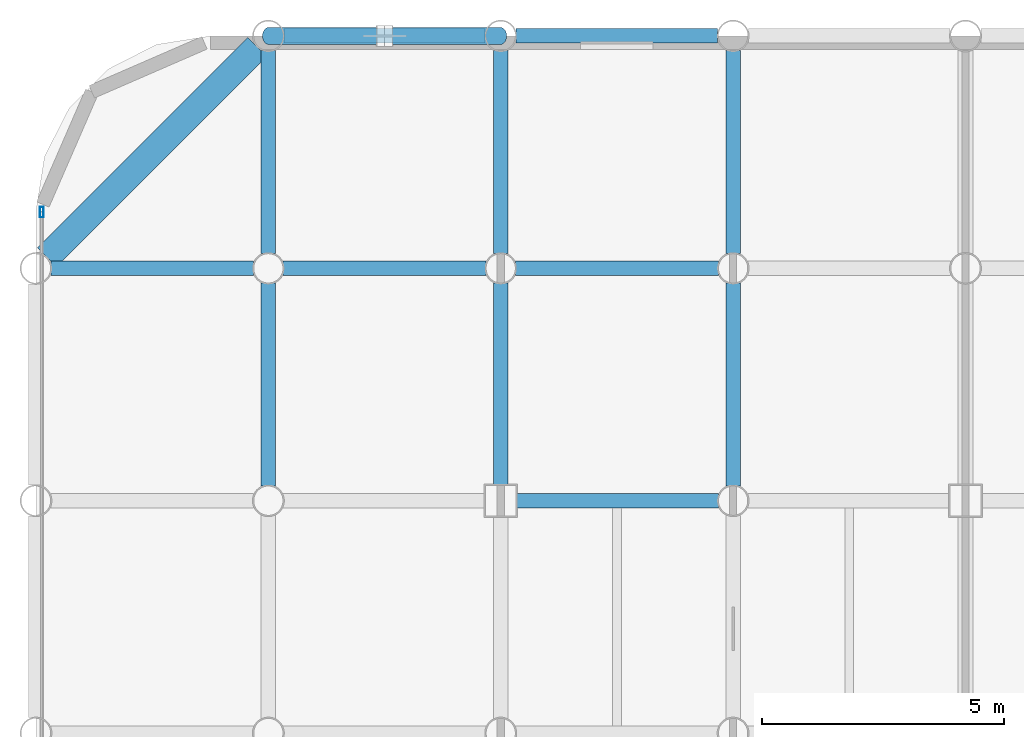
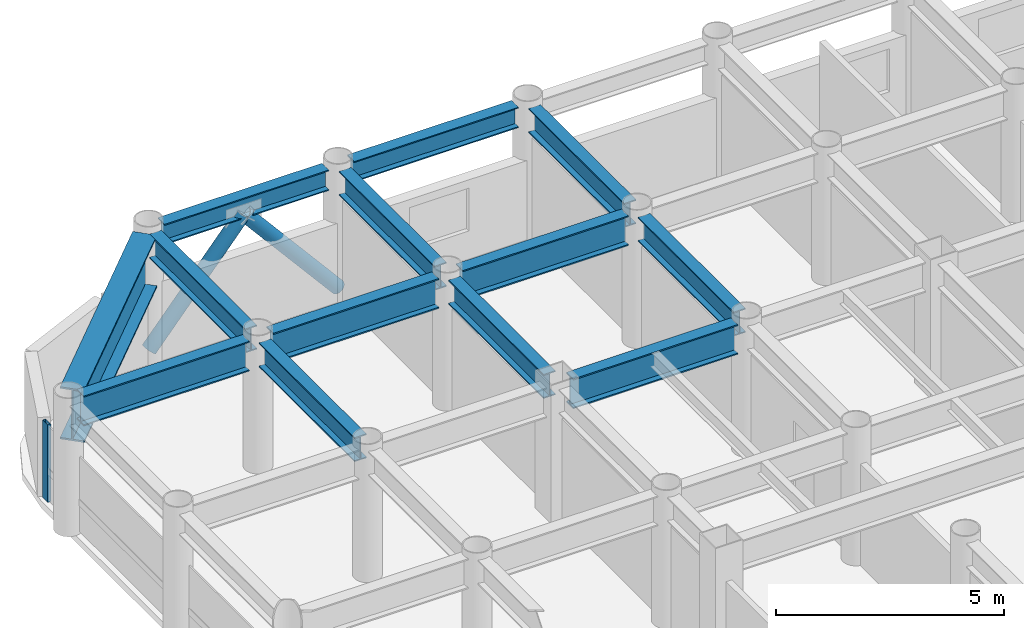
# One storey, part 10 of 20: 13 beams, 3 members, 1 element without a shape of its own.
"""IFC4 building model written with IfcOpenShell, lengths in metres."""

import ifcopenshell
import ifcopenshell.guid

model = None  # the IFC model being written
_history = None  # IfcOwnerHistory: only IFC2X3 demands one
_inside = {}  # id of a spatial element -> (the spatial element, [elements in it])
_under = {}  # id of a project, library or spatial element -> (it, [spatial elements below it])
_declared = {}  # id of a project -> (the project, [libraries it declares])
_typed = {}  # id of a type object -> (the type object, [elements of that type])
_made_of = {}  # id of a material, layer set ... -> (it, [elements and type objects made of it])


def new_model(schema):
    """Start an empty IFC model of exactly this schema.

    Asked for "IFC4X3", IfcOpenShell would pick the latest addendum, in which some entities
    have other attributes; the version numbers below select the first issue.
    IFC2X3 requires an IfcOwnerHistory on every rooted entity: one is made here for all.
    """
    global model, _history
    if schema == "IFC4X3":
        model = ifcopenshell.file(schema_version=(4, 3, 0, 0))
    else:
        model = ifcopenshell.file(schema=schema)
    _inside.clear()
    _under.clear()
    _declared.clear()
    _typed.clear()
    _made_of.clear()
    _history = None
    if model.schema == "IFC2X3":
        org = make("IfcOrganization", Name="unknown")
        user = make(
            "IfcPersonAndOrganization",
            ThePerson=make("IfcPerson", FamilyName="unknown"),
            TheOrganization=org,
        )
        app = make(
            "IfcApplication",
            ApplicationDeveloper=org,
            Version="unknown",
            ApplicationFullName="unknown",
            ApplicationIdentifier="unknown",
        )
        _history = make(
            "IfcOwnerHistory",
            OwningUser=user,
            OwningApplication=app,
            ChangeAction="ADDED",
            CreationDate=0,
        )
    return model


def make(cls, **values):
    """One entity of the class cls with the attributes given. An attribute that is None is left unset."""
    return model.create_entity(
        cls, **{name: value for name, value in values.items() if value is not None}
    )


def rooted(cls, **values):
    """An entity with a GlobalId (a new one), such as an element, a storey or a relation."""
    return make(cls, GlobalId=ifcopenshell.guid.new(), OwnerHistory=_history, **values)


def si_unit(unit_type, name, prefix=None):
    """IfcSIUnit, for example si_unit("LENGTHUNIT", "METRE", prefix="MILLI")."""
    return make("IfcSIUnit", UnitType=unit_type, Prefix=prefix, Name=name)


def assignment(units):
    """IfcUnitAssignment: the units of a project."""
    return None if units is None else make("IfcUnitAssignment", Units=units)


def point(xyz):
    """IfcCartesianPoint."""
    return None if xyz is None else make("IfcCartesianPoint", Coordinates=xyz)


def direction(xyz):
    """IfcDirection."""
    return None if xyz is None else make("IfcDirection", DirectionRatios=xyz)


def frame(location, z_axis=None, x_axis=None):
    """IfcAxis2Placement3D, a coordinate frame: its origin and axes. An axis left out is left unset."""
    return make(
        "IfcAxis2Placement3D",
        Location=point(location),
        Axis=direction(z_axis),
        RefDirection=direction(x_axis),
    )


def frame_2d(location, x_axis=None):
    """IfcAxis2Placement2D, a coordinate frame in the plane: its origin and x axis."""
    return make(
        "IfcAxis2Placement2D", Location=point(location), RefDirection=direction(x_axis)
    )


def origin():
    """The frame at (0, 0, 0) with its axes left unset."""
    return frame((0.0, 0.0, 0.0))


def origin_2d():
    """The frame at (0, 0) in the plane with its x axis left unset."""
    return frame_2d((0.0, 0.0))


def place(relative_to, where):
    """IfcLocalPlacement: puts the frame where relative to a parent placement (None: the world)."""
    return make(
        "IfcLocalPlacement", PlacementRelTo=relative_to, RelativePlacement=where
    )


def context(
    kind, dimensions, precision=None, world=None, true_north=None, identifier=None
):
    """IfcGeometricRepresentationContext, for example the 3D "Model" context."""
    return make(
        "IfcGeometricRepresentationContext",
        ContextIdentifier=identifier,
        ContextType=kind,
        CoordinateSpaceDimension=dimensions,
        Precision=precision,
        WorldCoordinateSystem=world,
        TrueNorth=true_north,
    )


def subcontext(parent, identifier, kind, view, scale=None):
    """IfcGeometricRepresentationSubContext, for example "Body" below "Model"."""
    return make(
        "IfcGeometricRepresentationSubContext",
        ContextIdentifier=identifier,
        ContextType=kind,
        ParentContext=parent,
        TargetScale=scale,
        TargetView=view,
    )


def project(units=None, contexts=None):
    """IfcProject with its units and contexts."""
    return rooted(
        "IfcProject",
        Name="project",
        RepresentationContexts=contexts,
        UnitsInContext=assignment(units),
    )


def spatial(cls, under=None, at=None, **own):
    """A site, building, storey or space (cls), placed at a placement, below another one or the project."""
    s = rooted(cls, ObjectPlacement=at, **own)
    if under is not None:
        _under.setdefault(under.id(), (under, []))[1].append(s)
    return s


def profile(cls, at=None, kind="AREA", **sizes):
    """A parametric profile (cls). Its sizes go by their IFC names, for example OverallWidth=200.0."""
    return make(cls, ProfileType=kind, Position=at, **sizes)


def hollow_rectangle(**sizes):
    """IfcRectangleHollowProfileDef."""
    return profile("IfcRectangleHollowProfileDef", **sizes)


def hollow_circle(**sizes):
    """IfcCircleHollowProfileDef."""
    return profile("IfcCircleHollowProfileDef", **sizes)


def i_section(**sizes):
    """IfcIShapeProfileDef."""
    return profile("IfcIShapeProfileDef", **sizes)


def extrude(swept, where, along, depth):
    """IfcExtrudedAreaSolid: the profile swept, set in the frame where, extruded along a direction by depth."""
    return make(
        "IfcExtrudedAreaSolid",
        SweptArea=swept,
        Position=where,
        ExtrudedDirection=direction(along),
        Depth=depth,
    )


def shape(context_of_items, identifier, shape_type, items):
    """IfcShapeRepresentation: the items that make up one representation, for example the "Body"."""
    return make(
        "IfcShapeRepresentation",
        ContextOfItems=context_of_items,
        RepresentationIdentifier=identifier,
        RepresentationType=shape_type,
        Items=items,
    )


def material(Name=None, Category=None):
    """IfcMaterial."""
    return make("IfcMaterial", Name=Name, Category=Category)


def layer(
    of_material, thickness, ventilated=None, Name=None, Category=None, Priority=None
):
    """IfcMaterialLayer: one layer of a wall or slab, of a material (None: an air gap)."""
    return make(
        "IfcMaterialLayer",
        Material=of_material,
        LayerThickness=thickness,
        IsVentilated=ventilated,
        Name=Name,
        Category=Category,
        Priority=Priority,
    )


def layer_set(layers, Name=None):
    """IfcMaterialLayerSet."""
    return make("IfcMaterialLayerSet", MaterialLayers=layers, LayerSetName=Name)


def material_profile(
    of_material, cross_section, Name=None, Category=None, Priority=None
):
    """IfcMaterialProfile: a cross section and its material."""
    return make(
        "IfcMaterialProfile",
        Name=Name,
        Material=of_material,
        Profile=cross_section,
        Priority=Priority,
        Category=Category,
    )


def profile_set(profiles, Name=None, composite=None):
    """IfcMaterialProfileSet."""
    return make(
        "IfcMaterialProfileSet",
        Name=Name,
        MaterialProfiles=profiles,
        CompositeProfile=composite,
    )


def made_of(thing, what):
    """Note that an element or type object is made of a material, layer set ...; save() writes the relation."""
    if what is not None:
        _made_of.setdefault(what.id(), (what, []))[1].append(thing)
    return thing


def type_object(cls, material=None, **own):
    """A type object (cls), such as IfcWallType, which elements share."""
    return made_of(rooted(cls, **own), material)


def element(
    cls,
    number,
    at=None,
    inside=None,
    cuts=None,
    type_object=None,
    material=None,
    context=None,
    identifier="Body",
    shape_type=None,
    held_by="IfcProductDefinitionShape",
    body=None,
    shapes=None,
    **own,
):
    """One element of the class cls, such as IfcWall. Its Tag is "e" and its number.

    at: its placement. inside: the storey or other place that contains it. cuts: it is an
    opening in that element (IfcRelVoidsElement). A single representation is given by context,
    identifier, shape_type and body (its items); several are given by shapes. held_by: the class
    of the entity that holds the representations. save() writes the other relations.
    """
    e = rooted(cls, Tag="e%d" % number, ObjectPlacement=at, **own)
    if body is not None:
        shapes = [shape(context, identifier, shape_type, body)]
    if shapes is not None:
        e.Representation = make(held_by, Representations=shapes)
    if inside is not None:
        _inside.setdefault(inside.id(), (inside, []))[1].append(e)
    if cuts is not None:
        rooted(
            "IfcRelVoidsElement", RelatingBuildingElement=cuts, RelatedOpeningElement=e
        )
    if type_object is not None:
        _typed.setdefault(type_object.id(), (type_object, []))[1].append(e)
    return made_of(e, material)


def aggregate(whole, parts):
    """IfcRelAggregates: a whole, such as a stair, and the parts it consists of."""
    return rooted("IfcRelAggregates", RelatingObject=whole, RelatedObjects=parts)


def save(model, path):
    """Write the relations noted so far, then the file.

    IfcRelAggregates (storeys below a building ...), IfcRelContainedInSpatialStructure (elements
    in a storey), IfcRelDefinesByType, IfcRelAssociatesMaterial and IfcRelDeclares: one each for
    every whole, place, type object, material and project.
    """
    for whole, parts in _under.values():
        aggregate(whole, parts)
    for where, things in _inside.values():
        rooted(
            "IfcRelContainedInSpatialStructure",
            RelatedElements=things,
            RelatingStructure=where,
        )
    for kind, things in _typed.values():
        rooted("IfcRelDefinesByType", RelatedObjects=things, RelatingType=kind)
    for what, things in _made_of.values():
        rooted("IfcRelAssociatesMaterial", RelatedObjects=things, RelatingMaterial=what)
    for by, libraries in _declared.values():
        rooted("IfcRelDeclares", RelatingContext=by, RelatedDefinitions=libraries)
    model.write(path)


model = new_model("IFC4")

# Units and contexts
model_context = context("Model", 3, precision=1e-05, world=origin(), true_north=direction((0.0, 1.0)))
body_context = subcontext(model_context, "Body", "Model", "MODEL_VIEW")
ifc_project = project(units=[si_unit("LENGTHUNIT", "METRE"), si_unit("AREAUNIT", "SQUARE_METRE"), si_unit("VOLUMEUNIT", "CUBIC_METRE"), si_unit("PLANEANGLEUNIT", "RADIAN"), si_unit("MASSUNIT", "GRAM", prefix="KILO")], contexts=[model_context])

# Site, building, storey
site_placement = place(None, origin())
site = spatial("IfcSite", under=ifc_project, at=site_placement, CompositionType="ELEMENT")
building_placement = place(site_placement, origin())
building = spatial("IfcBuilding", under=site, at=building_placement, Name="Kallvorn Hotel Tower", CompositionType="ELEMENT")
storey_placement = place(building_placement, frame((0.0, 0.0, 132.199951171875)))
storey = spatial("IfcBuildingStorey", under=building, at=storey_placement, Name="L32", CompositionType="ELEMENT", Elevation=132.199951171875)

# Beams
ifc_material_1 = material(Name="Structural steel S355JR", Category="steel")
ifc_material_profile_1 = material_profile(ifc_material_1, i_section(OverallWidth=0.300048828125, OverallDepth=0.550048828125, WebThickness=0.014892578125, FlangeThickness=0.029052734375, at=origin_2d()), Name="HE 550 B")
ifc_profile_set_1 = profile_set([ifc_material_profile_1], Name="Structural steel S355JR")
beam_type_1 = type_object("IfcBeamType", Name="BM_HE550B", PredefinedType="SPANDREL", material=ifc_profile_set_1)
for number, where, z_axis, x_axis, name in (
    (1, (-28.47998046875, 24.0, 3.2451171875), (1.0, 0.0, 0.0), (0.0, 1.0, 0.0), "L33 Perimeter Spandrel 163"),
    (2, (-23.679931640625, 24.0, 3.2451171875), (1.0, 0.0, 0.0), (0.0, 1.0, 0.0), "L33 Perimeter Spandrel 164"),
):
    element("IfcBeam", number, at=place(storey_placement, frame(where, z_axis=z_axis, x_axis=x_axis)), inside=storey, type_object=beam_type_1, Name=name, PredefinedType="SPANDREL", context=body_context, shape_type="SweptSolid", body=[
        extrude(i_section(OverallWidth=0.300048828125, OverallDepth=0.550048828125, WebThickness=0.014892578125, FlangeThickness=0.029052734375, at=origin_2d()), origin(), (0.0, 0.0, 1.0), 4.159912109375),
    ])
ifc_material_2 = material(Name="Structural steel S355JR", Category="steel")
ifc_material_profile_2 = material_profile(ifc_material_2, i_section(OverallWidth=0.300048828125, OverallDepth=0.64990234375, WebThickness=0.01611328125, FlangeThickness=0.031005859375, at=origin_2d()), Name="HE 650 B")
ifc_profile_set_2 = profile_set([ifc_material_profile_2], Name="Structural steel S355JR")
beam_type_2 = type_object("IfcBeamType", Name="BM_HE650B", PredefinedType="BEAM", material=ifc_profile_set_2)
beam_1_placement = place(storey_placement, frame((-28.800048828125, 14.705078125, 3.195068359375), z_axis=(0.0, 1.0, 0.0), x_axis=(-1.0, 0.0, 0.0)))
element("IfcBeam", 3, at=beam_1_placement, inside=storey, type_object=beam_type_2, Name="L33 Primary Y-Girder 80", PredefinedType="BEAM", context=body_context, shape_type="SweptSolid", body=[
    extrude(i_section(OverallWidth=0.300048828125, OverallDepth=0.64990234375, WebThickness=0.01611328125, FlangeThickness=0.031005859375, at=origin_2d()), origin(), (0.0, 0.0, 1.0), 4.18994140625),
])
beam_2_placement = place(storey_placement, frame((-28.800048828125, 19.5048828125, 3.195068359375), z_axis=(0.0, 1.0, 0.0), x_axis=(-1.0, 0.0, 0.0)))
element("IfcBeam", 4, at=beam_2_placement, inside=storey, type_object=beam_type_2, Name="L33 Primary Y-Girder 81", PredefinedType="BEAM", context=body_context, shape_type="SweptSolid", body=[
    extrude(i_section(OverallWidth=0.300048828125, OverallDepth=0.64990234375, WebThickness=0.01611328125, FlangeThickness=0.031005859375, at=origin_2d()), origin(), (0.0, 0.0, 1.0), 4.190185546875),
])
beam_3_placement = place(storey_placement, frame((-24.0, 14.72509765625, 3.195068359375), z_axis=(0.0, 1.0, 0.0), x_axis=(-1.0, 0.0, 0.0)))
element("IfcBeam", 5, at=beam_3_placement, inside=storey, type_object=beam_type_2, Name="L33 Primary Y-Girder 87", PredefinedType="BEAM", context=body_context, shape_type="SweptSolid", body=[
    extrude(i_section(OverallWidth=0.300048828125, OverallDepth=0.64990234375, WebThickness=0.01611328125, FlangeThickness=0.031005859375, at=origin_2d()), origin(), (0.0, 0.0, 1.0), 4.169921875),
])
beam_4_placement = place(storey_placement, frame((-24.0, 19.5048828125, 3.195068359375), z_axis=(0.0, 1.0, 0.0), x_axis=(-1.0, 0.0, 0.0)))
element("IfcBeam", 6, at=beam_4_placement, inside=storey, type_object=beam_type_2, Name="L33 Primary Y-Girder 88", PredefinedType="BEAM", context=body_context, shape_type="SweptSolid", body=[
    extrude(i_section(OverallWidth=0.300048828125, OverallDepth=0.64990234375, WebThickness=0.01611328125, FlangeThickness=0.031005859375, at=origin_2d()), origin(), (0.0, 0.0, 1.0), 4.190185546875),
])
beam_5_placement = place(storey_placement, frame((-19.199951171875, 14.705078125, 3.195068359375), z_axis=(0.0, 1.0, 0.0), x_axis=(-1.0, 0.0, 0.0)))
element("IfcBeam", 7, at=beam_5_placement, inside=storey, type_object=beam_type_2, Name="L33 Primary Y-Girder 96", PredefinedType="BEAM", context=body_context, shape_type="SweptSolid", body=[
    extrude(i_section(OverallWidth=0.300048828125, OverallDepth=0.64990234375, WebThickness=0.01611328125, FlangeThickness=0.031005859375, at=origin_2d()), origin(), (0.0, 0.0, 1.0), 4.18994140625),
])
beam_6_placement = place(storey_placement, frame((-19.199951171875, 19.5048828125, 3.195068359375), z_axis=(0.0, 1.0, 0.0), x_axis=(-1.0, 0.0, 0.0)))
element("IfcBeam", 8, at=beam_6_placement, inside=storey, type_object=beam_type_2, Name="L33 Primary Y-Girder 97", PredefinedType="BEAM", context=body_context, shape_type="SweptSolid", body=[
    extrude(i_section(OverallWidth=0.300048828125, OverallDepth=0.64990234375, WebThickness=0.01611328125, FlangeThickness=0.031005859375, at=origin_2d()), origin(), (0.0, 0.0, 1.0), 4.190185546875),
])
ifc_material_3 = material(Name="Structural steel S355JR", Category="steel")
ifc_material_profile_3 = material_profile(ifc_material_3, i_section(OverallWidth=0.300048828125, OverallDepth=0.800048828125, WebThickness=0.017578125, FlangeThickness=0.032958984375, at=origin_2d()), Name="HE 800 B")
ifc_profile_set_3 = profile_set([ifc_material_profile_3], Name="Structural steel S355JR")
beam_type_3 = type_object("IfcBeamType", Name="BM_HE800B", PredefinedType="BEAM", material=ifc_profile_set_3)
beam_7_placement = place(storey_placement, frame((-23.675048828125, 14.39990234375, 3.1201171875), z_axis=(1.0, 0.0, 0.0), x_axis=(0.0, 1.0, 0.0)))
element("IfcBeam", 9, at=beam_7_placement, inside=storey, type_object=beam_type_3, Name="L33 Primary X-Girder 52", PredefinedType="BEAM", context=body_context, shape_type="SweptSolid", body=[
    extrude(i_section(OverallWidth=0.300048828125, OverallDepth=0.800048828125, WebThickness=0.017578125, FlangeThickness=0.032958984375, at=origin_2d()), origin(), (0.0, 0.0, 1.0), 4.170166015625),
])
beam_8_placement = place(storey_placement, frame((-33.294921875, 19.199951171875, 3.1201171875), z_axis=(1.0, 0.0, 0.0), x_axis=(0.0, 1.0, 0.0)))
element("IfcBeam", 10, at=beam_8_placement, inside=storey, type_object=beam_type_3, Name="L33 Primary X-Girder 60", PredefinedType="BEAM", context=body_context, shape_type="SweptSolid", body=[
    extrude(i_section(OverallWidth=0.300048828125, OverallDepth=0.800048828125, WebThickness=0.017578125, FlangeThickness=0.032958984375, at=origin_2d()), origin(), (0.0, 0.0, 1.0), 4.18994140625),
])
for number, where, z_axis, x_axis, name in (
    (11, (-28.4951171875, 19.199951171875, 3.1201171875), (1.0, 0.0, 0.0), (0.0, 1.0, 0.0), "L33 Primary X-Girder 61"),
    (12, (-23.695068359375, 19.199951171875, 3.1201171875), (1.0, 0.0, 0.0), (0.0, 1.0, 0.0), "L33 Primary X-Girder 62"),
):
    element("IfcBeam", number, at=place(storey_placement, frame(where, z_axis=z_axis, x_axis=x_axis)), inside=storey, type_object=beam_type_3, Name=name, PredefinedType="BEAM", context=body_context, shape_type="SweptSolid", body=[
        extrude(i_section(OverallWidth=0.300048828125, OverallDepth=0.800048828125, WebThickness=0.017578125, FlangeThickness=0.032958984375, at=origin_2d()), origin(), (0.0, 0.0, 1.0), 4.190185546875),
    ])
ifc_material_4 = material(Name="Structural steel S355JR", Category="steel")
ifc_material_profile_4 = material_profile(ifc_material_4, i_section(OverallWidth=0.550048828125, OverallDepth=1.39990234375, WebThickness=0.02490234375, FlangeThickness=0.044921875, at=origin_2d()), Name="PG 1400x550x25x45")
ifc_profile_set_4 = profile_set([ifc_material_profile_4], Name="Structural steel S355JR")
beam_type_4 = type_object("IfcBeamType", Name="BM_PG_1400", PredefinedType="BEAM", material=ifc_profile_set_4)
beam_9_placement = place(storey_placement, frame((-33.373779296875, 19.42626953125, 2.820068359375), z_axis=(0.707106781187, 0.707106781187, 0.0), x_axis=(-0.707106781187, 0.707106781187, 0.0)))
element("IfcBeam", 13, at=beam_9_placement, inside=storey, type_object=beam_type_4, Name="L33 Rounded Corner Tie Beam 190", PredefinedType="BEAM", context=body_context, shape_type="SweptSolid", body=[
    extrude(i_section(OverallWidth=0.550048828125, OverallDepth=1.39990234375, WebThickness=0.02490234375, FlangeThickness=0.044921875, at=origin_2d()), origin(), (0.0, 0.0, 1.0), 6.148193359375),
])

# Curtain wall, member
ifc_material_5 = material(Name="Thermally broken black-anodised aluminium AA 6063-T6", Category="aluminium")
ifc_layer = layer(ifc_material_5, 0.2099609375)
ifc_layer_set = layer_set([ifc_layer], Name="CW_SYS_4_HOTEL_MID")
curtain_wall_type = type_object("IfcCurtainWallType", Name="CW_SYS_4_HOTEL_MID", PredefinedType="USERDEFINED", material=ifc_layer_set)
curtain_wall_placement = place(storey_placement, origin())
curtain_wall = element("IfcCurtainWall", 14, at=curtain_wall_placement, inside=storey, type_object=curtain_wall_type, Name="L32 Dark-Glass Curtain Wall CW-L32-WN", ObjectType="UNITISED CURTAIN WALL", PredefinedType="USERDEFINED")
ifc_material_6 = material(Name="Thermally broken black-anodised aluminium AA 6063-T6", Category="aluminium")
ifc_material_profile_5 = material_profile(ifc_material_6, hollow_rectangle(XDim=0.080078125, YDim=0.219970703125, WallThickness=0.0048828125, at=origin_2d()), Name="MUL 220x80")
ifc_profile_set_5 = profile_set([ifc_material_profile_5], Name="Thermally broken black-anodised aluminium AA 6063-T6")
member_type_1 = type_object("IfcMemberType", Name="CW_MULLION_220x80", PredefinedType="MULLION", material=ifc_profile_set_5)
member_placement = place(storey_placement, frame((-33.47998046875, 20.360107421875, 0.02001953125), z_axis=(0.0, 0.0, 1.0), x_axis=(1.0, 0.0, 0.0)))
member = element("IfcMember", 15, at=member_placement, type_object=member_type_1, Name="CW-L32-WN Mullion 01", PredefinedType="MULLION", context=body_context, shape_type="SweptSolid", body=[
    extrude(hollow_rectangle(XDim=0.080078125, YDim=0.219970703125, WallThickness=0.0048828125, at=origin_2d()), origin(), (0.0, 0.0, 1.0), 2.080078125),
])
aggregate(curtain_wall, [member])

# Members
ifc_material_7 = material(Name="Structural steel S355J2H", Category="steel")
ifc_material_profile_6 = material_profile(ifc_material_7, hollow_circle(Radius=0.177734375, WallThickness=0.01416015625, at=origin_2d()), Name="CHS 355.6x14.2")
ifc_profile_set_6 = profile_set([ifc_material_profile_6], Name="Structural steel S355J2H")
member_type_2 = type_object("IfcMemberType", Name="MBR_EXO_CHS355", PredefinedType="BRACE", material=ifc_profile_set_6)
for number, where, z_axis, x_axis, name in (
    (16, (-28.787109375, 24.0, 0.1953125), (0.646833296797, 0.0, 0.762631422218), (0.0, 1.0, 0.0), "L32 Exoskeleton K-Brace N1A"),
    (17, (-24.012939453125, 24.0, 0.1953125), (-0.646833296797, 0.0, 0.762631422218), (0.0, -1.0, 0.0), "L32 Exoskeleton K-Brace N1B"),
):
    element("IfcMember", number, at=place(storey_placement, frame(where, z_axis=z_axis, x_axis=x_axis)), inside=storey, type_object=member_type_2, Name=name, PredefinedType="BRACE", context=body_context, shape_type="SweptSolid", body=[
        extrude(hollow_circle(Radius=0.177734375, WallThickness=0.01416015625, at=origin_2d()), origin(), (0.0, 0.0, 1.0), 3.670654296875),
    ])

save(model, "model.ifc")
